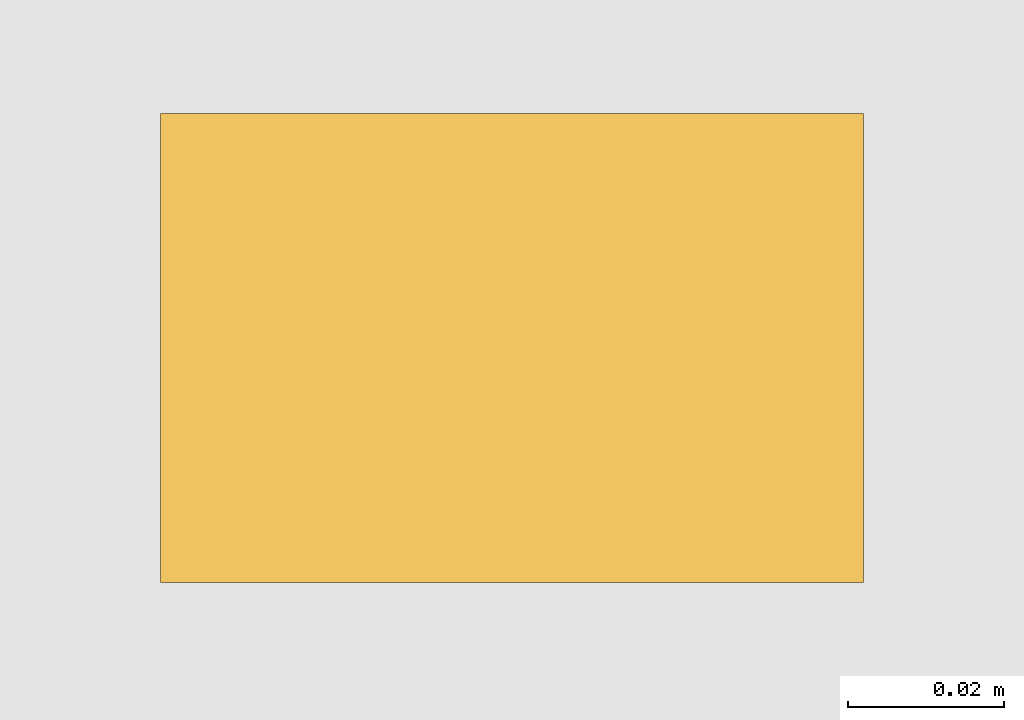
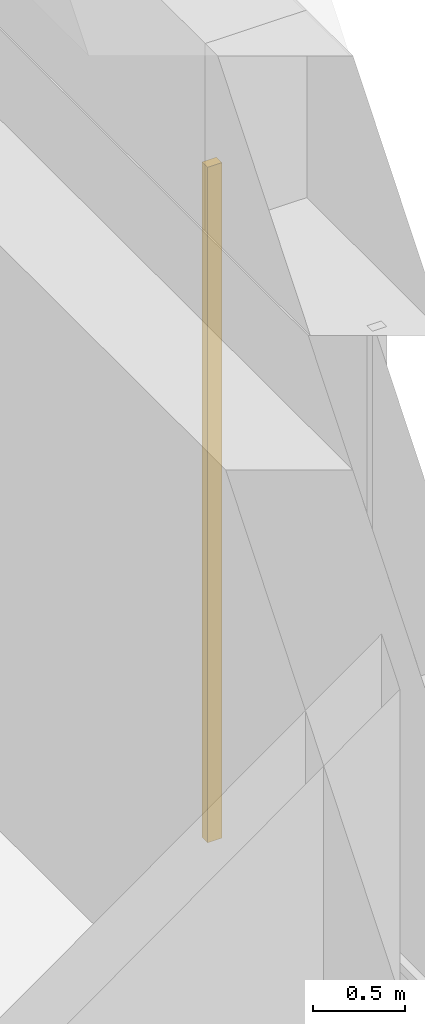
# One storey, part 31 of 39: 1 covering.
"""IFC4 building model written with IfcOpenShell, lengths in metres."""

from ifc_helpers import new_model, si_unit, direction, frame, origin, origin_2d, place, context, subcontext, project, spatial, rectangle, extrude, material, type_object, element, save


model = new_model("IFC4")

# Units and contexts
model_context = context("Model", 3, precision=1e-05, world=origin(), true_north=direction((0.0, 1.0)))
body_context = subcontext(model_context, "Body", "Model", "MODEL_VIEW")
ifc_project = project(units=[si_unit("LENGTHUNIT", "METRE"), si_unit("AREAUNIT", "SQUARE_METRE"), si_unit("VOLUMEUNIT", "CUBIC_METRE"), si_unit("PLANEANGLEUNIT", "RADIAN"), si_unit("MASSUNIT", "GRAM", prefix="KILO")], contexts=[model_context])

# Site, building, storey
site_placement = place(None, origin())
site = spatial("IfcSite", under=ifc_project, at=site_placement, CompositionType="ELEMENT")
building_placement = place(site_placement, origin())
building = spatial("IfcBuilding", under=site, at=building_placement, Name="Cobrizo Arcos Hotel Tower", CompositionType="ELEMENT")
storey_placement = place(building_placement, frame((0.0, 0.0, 84.5)))
storey = spatial("IfcBuildingStorey", under=building, at=storey_placement, Name="L20", CompositionType="ELEMENT", Elevation=84.5)

# Covering
ifc_material = material(Name="Aluminium 6063-T6 anodised pale", Category="aluminium")
covering_type = type_object("IfcCoveringType", Name="RS-1 rainscreen rib 60x90", PredefinedType="CLADDING", material=ifc_material)
covering_placement = place(storey_placement, frame((24.3701171875, 0.89990234375, 0.0), z_axis=(0.0, 0.0, 1.0), x_axis=(0.0, 1.0, 0.0)))
element("IfcCovering", 1, at=covering_placement, inside=storey, type_object=covering_type, Name="Rainscreen rib 26", PredefinedType="CLADDING", context=body_context, shape_type="SweptSolid", body=[
    extrude(rectangle(XDim=0.06005859375, YDim=0.090087890625, at=origin_2d()), origin(), (0.0, 0.0, 1.0), 4.5),
])

save(model, "model.ifc")
